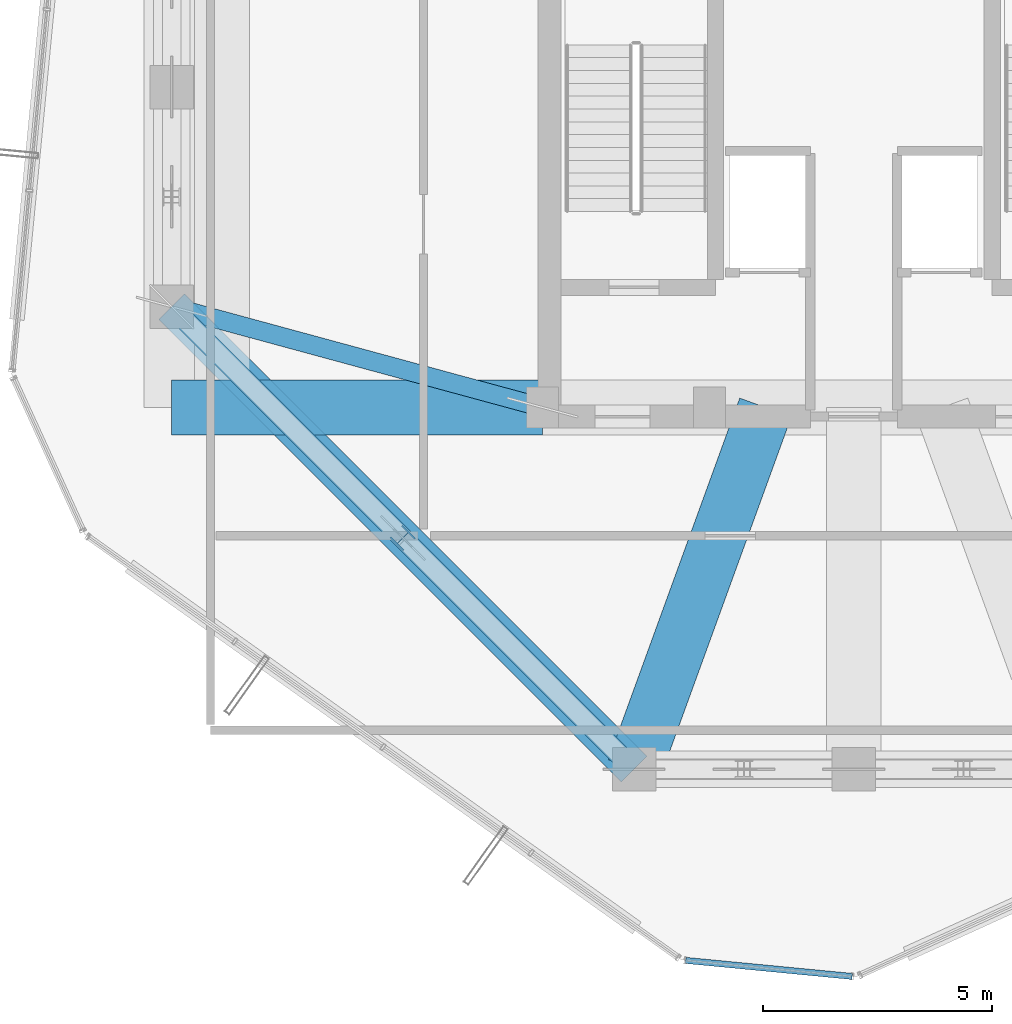
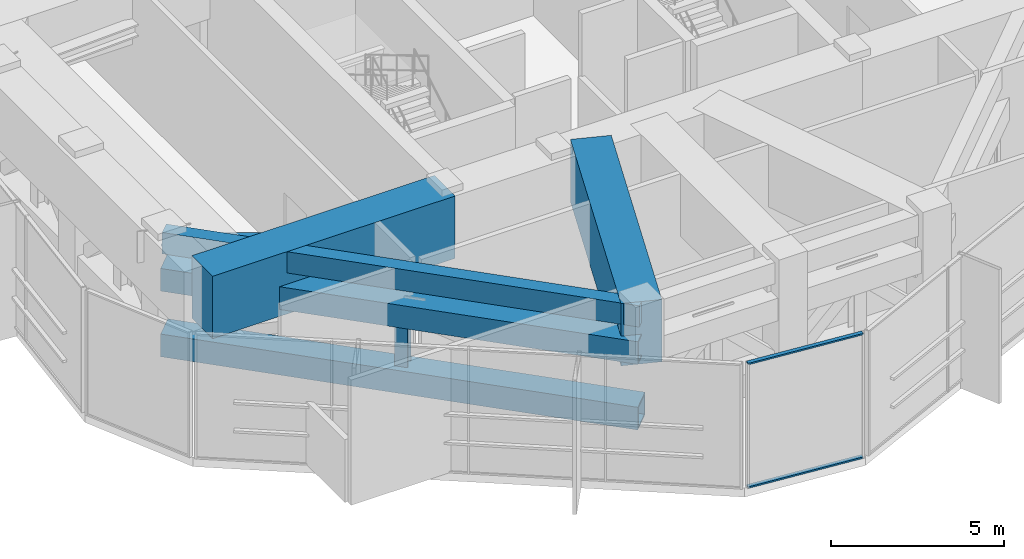
# One storey, part 5 of 31: 6 members, 3 beams, 1 element without a shape of its own.
"""IFC4 building model written with IfcOpenShell, lengths in metres."""

from ifc_helpers import new_model, si_unit, direction, frame, origin, origin_2d, place, context, subcontext, project, spatial, rectangle, hollow_rectangle, i_section, extrude, source, transform, mapped, material, layer, layer_set, material_profile, profile_set, type_object, element, aggregate, save


model = new_model("IFC4")

# Units and contexts
model_context = context("Model", 3, precision=1e-05, world=origin(), true_north=direction((0.0, 1.0)))
body_context = subcontext(model_context, "Body", "Model", "MODEL_VIEW")
ifc_project = project(units=[si_unit("LENGTHUNIT", "METRE"), si_unit("AREAUNIT", "SQUARE_METRE"), si_unit("VOLUMEUNIT", "CUBIC_METRE"), si_unit("PLANEANGLEUNIT", "RADIAN"), si_unit("MASSUNIT", "GRAM", prefix="KILO")], contexts=[model_context])

# Site, building, storey
site_placement = place(None, origin())
site = spatial("IfcSite", under=ifc_project, at=site_placement, CompositionType="ELEMENT")
building_placement = place(site_placement, origin())
building = spatial("IfcBuilding", under=site, at=building_placement, Name="Veraguas Prism Commons", CompositionType="ELEMENT")
storey_placement = place(building_placement, frame((0.0, 0.0, 225.39990234375)))
storey = spatial("IfcBuildingStorey", under=building, at=storey_placement, Name="L64", CompositionType="ELEMENT", Elevation=225.39990234375)

# Members
ifc_material_1 = material(Name="Steel ASTM A913 Grade 65", Category="steel")
ifc_material_profile_1 = material_profile(ifc_material_1, hollow_rectangle(XDim=0.800048828125, YDim=0.800048828125, WallThickness=0.06005859375, at=origin_2d()), Name="BOX800X800X60")
ifc_profile_set_1 = profile_set([ifc_material_profile_1], Name="Steel ASTM A913 Grade 65")
member_type_1 = type_object("IfcMemberType", Name="Belt Truss Chord L64 Box 800x800x60", PredefinedType="CHORD", material=ifc_profile_set_1)
for number, where, z_axis, x_axis, name in (
    (1, (9.10009765625, 19.199951171875, 0.550048828125), (0.707106781187, -0.707106781187, 0.0), (0.707106781187, 0.707106781187, 0.0), "Perimeter Belt Truss Chord Bottom L64-09"),
    (2, (9.10009765625, 19.199951171875, 2.864990234375), (0.707106781187, -0.707106781187, 0.0), (0.707106781187, 0.707106781187, 0.0), "Perimeter Belt Truss Chord Top L64-09"),
):
    element("IfcMember", number, at=place(storey_placement, frame(where, z_axis=z_axis, x_axis=x_axis)), inside=storey, type_object=member_type_1, Name=name, PredefinedType="CHORD", context=body_context, shape_type="SweptSolid", body=[
        extrude(hollow_rectangle(XDim=0.800048828125, YDim=0.800048828125, WallThickness=0.06005859375, at=origin_2d()), origin(), (0.0, 0.0, 1.0), 14.283447265625),
    ])
ifc_material_2 = material(Name="Steel ASTM A992 Grade 50", Category="steel")
ifc_material_profile_2 = material_profile(ifc_material_2, i_section(OverallWidth=0.39794921875, OverallDepth=0.386962890625, WebThickness=0.01904296875, FlangeThickness=0.0302734375, at=origin_2d()), Name="W360X262")
ifc_profile_set_2 = profile_set([ifc_material_profile_2], Name="Steel ASTM A992 Grade 50")
member_type_2 = type_object("IfcMemberType", Name="Belt Truss Vertical Strut W360x262", PredefinedType="STRUT", material=ifc_profile_set_2)
member_1_placement = place(storey_placement, frame((14.14990234375, 14.14990234375, 0.550048828125), z_axis=(0.0, 0.0, 1.0), x_axis=(0.707106781187, -0.707106781187, 0.0)))
element("IfcMember", 3, at=member_1_placement, inside=storey, type_object=member_type_2, Name="Perimeter Belt Truss Strut L64-09", PredefinedType="STRUT", context=body_context, shape_type="SweptSolid", body=[
    extrude(i_section(OverallWidth=0.39794921875, OverallDepth=0.386962890625, WebThickness=0.01904296875, FlangeThickness=0.0302734375, at=origin_2d()), origin(), (0.0, 0.0, 1.0), 2.31494140625),
])
ifc_material_profile_3 = material_profile(ifc_material_2, i_section(OverallWidth=0.408935546875, OverallDepth=0.425048828125, WebThickness=0.030517578125, FlangeThickness=0.049072265625, at=origin_2d()), Name="W360X421")
ifc_profile_set_3 = profile_set([ifc_material_profile_3], Name="Steel ASTM A992 Grade 50")
member_type_3 = type_object("IfcMemberType", Name="Outrigger Truss Diagonal W360x421", PredefinedType="BRACE", material=ifc_profile_set_3)
member_2_placement = place(storey_placement, frame((17.199951171875, 17.0, 2.420166015625), z_axis=(-0.950476214414, 0.258152972483, 0.173066486158), x_axis=(-0.262108146725, -0.965038506703, 0.0)))
element("IfcMember", 4, at=member_2_placement, inside=storey, type_object=member_type_3, Name="Outrigger Truss Diagonal L64-04", PredefinedType="BRACE", context=body_context, shape_type="SweptSolid", body=[
    extrude(i_section(OverallWidth=0.408935546875, OverallDepth=0.425048828125, WebThickness=0.030517578125, FlangeThickness=0.049072265625, at=origin_2d()), origin(), (0.0, 0.0, 1.0), 8.52197265625),
])

# Beams
ifc_material_3 = material(Name="Concrete C50/60", Category="concrete")
ifc_material_profile_4 = material_profile(ifc_material_3, rectangle(XDim=0.449951171875, YDim=0.75, at=origin_2d()), Name="RC450X750")
ifc_profile_set_4 = profile_set([ifc_material_profile_4], Name="Concrete C50/60")
beam_type_1 = type_object("IfcBeamType", Name="Perimeter Spandrel Upper RC 450x750", PredefinedType="SPANDREL", material=ifc_profile_set_4)
beam_1_placement = place(storey_placement, frame((9.10009765625, 19.199951171875, 4.0400390625), z_axis=(0.707106781187, -0.707106781187, 0.0), x_axis=(0.707106781187, 0.707106781187, 0.0)))
element("IfcBeam", 5, at=beam_1_placement, inside=storey, type_object=beam_type_1, Name="Perimeter Spandrel Beam L64-SP09", PredefinedType="SPANDREL", context=body_context, shape_type="SweptSolid", body=[
    extrude(rectangle(XDim=0.449951171875, YDim=0.75, at=origin_2d()), origin(), (0.0, 0.0, 1.0), 14.283447265625),
])
ifc_material_profile_5 = material_profile(ifc_material_3, rectangle(XDim=1.199951171875, YDim=2.199951171875, at=origin_2d()), Name="RC1200X2200")
ifc_profile_set_5 = profile_set([ifc_material_profile_5], Name="Concrete C50/60")
beam_type_2 = type_object("IfcBeamType", Name="Podium Transfer Girder RC 1200x2200", PredefinedType="BEAM", material=ifc_profile_set_5)
beam_2_placement = place(storey_placement, frame((9.10009765625, 17.0, 3.315185546875), z_axis=(1.0, 0.0, 0.0), x_axis=(0.0, 1.0, 0.0)))
element("IfcBeam", 6, at=beam_2_placement, inside=storey, type_object=beam_type_2, Name="Outrigger Transfer Girder L64-XSW", PredefinedType="BEAM", context=body_context, shape_type="SweptSolid", body=[
    extrude(rectangle(XDim=1.199951171875, YDim=2.199951171875, at=origin_2d()), origin(), (0.0, 0.0, 1.0), 8.099853515625),
])
beam_3_placement = place(storey_placement, frame((19.199951171875, 9.10009765625, 3.315185546875), z_axis=(0.341754722855, 0.939789183491, 0.0), x_axis=(-0.939789183491, 0.341754722855, 0.0)))
element("IfcBeam", 7, at=beam_3_placement, inside=storey, type_object=beam_type_2, Name="Setback Transfer Girder L64-10", PredefinedType="BEAM", context=body_context, shape_type="SweptSolid", body=[
    extrude(rectangle(XDim=1.199951171875, YDim=2.199951171875, at=origin_2d()), origin(), (0.0, 0.0, 1.0), 8.406005859375),
])

# Curtain wall, members
ifc_material_4 = material(Name="Anodised aluminium EN AW-6063 T6", Category="aluminium")
ifc_layer = layer(ifc_material_4, 0.14990234375, Name="Unitised Flush Curtain Wall Zone 3", Category="aluminium")
ifc_layer_set = layer_set([ifc_layer], Name="Anodised aluminium EN AW-6063 T6")
curtain_wall_type = type_object("IfcCurtainWallType", Name="Unitised Flush Curtain Wall Zone 3", PredefinedType="NOTDEFINED", material=ifc_layer_set)
curtain_wall_placement = place(storey_placement, origin())
curtain_wall = element("IfcCurtainWall", 8, at=curtain_wall_placement, inside=storey, type_object=curtain_wall_type, Name="Chamfer Curtain Wall L64-C5", PredefinedType="NOTDEFINED")
ifc_material_profile_6 = material_profile(ifc_material_4, hollow_rectangle(XDim=0.054931640625, YDim=0.135009765625, WallThickness=0.0029296875, at=origin_2d()), Name="AL55X135X3")
ifc_profile_set_6 = profile_set([ifc_material_profile_6], Name="Anodised aluminium EN AW-6063 T6")
member_type_4 = type_object("IfcMemberType", Name="Curtain Wall Transom Standard AL 55x135x3", PredefinedType="USERDEFINED", material=ifc_profile_set_6)
shared_shape = source(origin(), body_context, "Body", "SweptSolid", [
    extrude(hollow_rectangle(XDim=0.054931640625, YDim=0.135009765625, WallThickness=0.0029296875, at=origin_2d()), origin(), (0.0, 0.0, 1.0), 3.654541015625),
])
member_3_placement = place(storey_placement, frame((20.3271484375, 4.921142578125, 0.027587890625), z_axis=(0.995394329585, -0.095865158588, 0.0), x_axis=(0.0, 0.0, 1.0)))
member_3 = element("IfcMember", 9, at=member_3_placement, type_object=member_type_4, Name="CW-Z3 Transom 1", ObjectType="TRANSOM", PredefinedType="USERDEFINED", context=body_context, shape_type="MappedRepresentation", body=[
    mapped(shared_shape, transform((0.0, 0.0, 0.0), scale=1.0)),
])
member_4_placement = place(storey_placement, frame((20.3271484375, 4.921142578125, 4.3876953125), z_axis=(0.995394329585, -0.095865158588, 0.0), x_axis=(0.0, 0.0, 1.0)))
member_4 = element("IfcMember", 10, at=member_4_placement, type_object=member_type_4, Name="CW-Z3 Transom 2", ObjectType="TRANSOM", PredefinedType="USERDEFINED", context=body_context, shape_type="MappedRepresentation", body=[
    mapped(shared_shape, transform((0.0, 0.0, 0.0), scale=1.0)),
])
aggregate(curtain_wall, [member_3, member_4])

save(model, "model.ifc")
